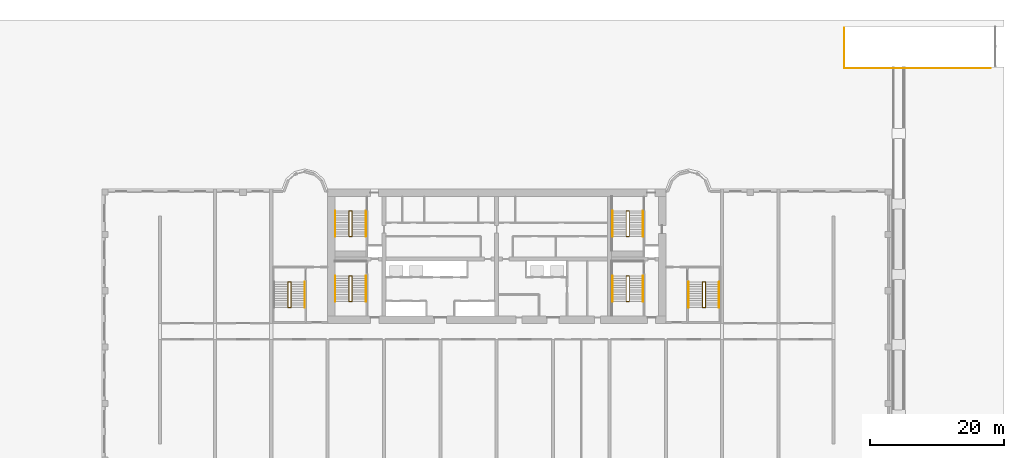
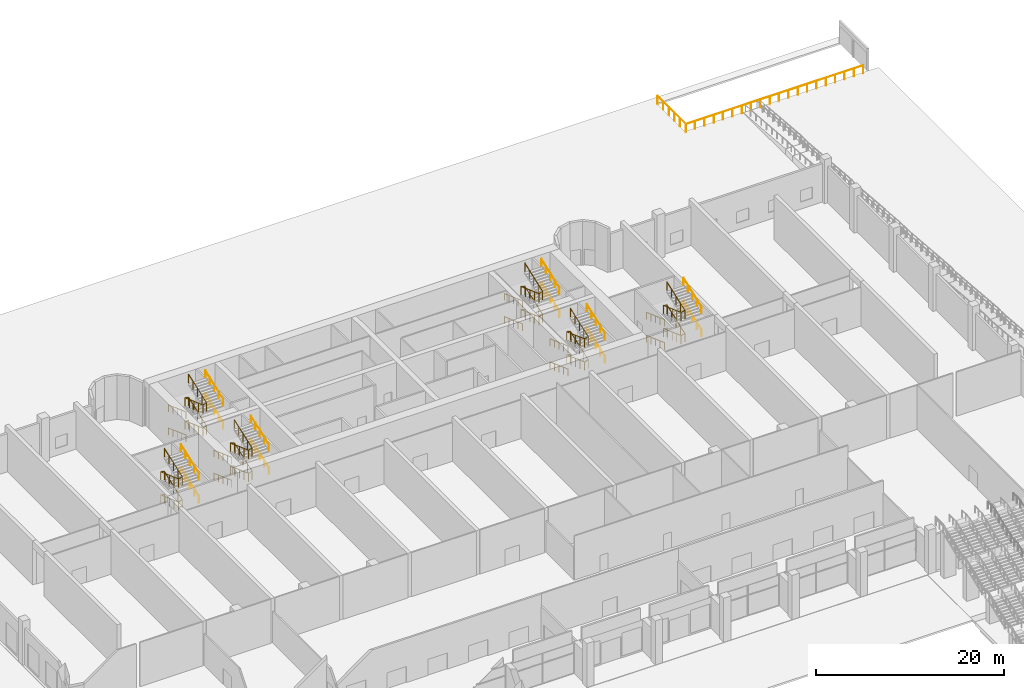
# One storey, part 19 of 20: 29 railings.
"""IFC4 building model written with IfcOpenShell, lengths in metres."""

from ifc_helpers import new_model, si_unit, direction, frame, origin, origin_2d, place, context, subcontext, project, spatial, circle, extrude, source, transform, mapped, material, type_object, element, save


model = new_model("IFC4")

# Units and contexts
model_context = context("Model", 3, precision=1e-05, world=origin(), true_north=direction((0.0, 1.0)))
body_context = subcontext(model_context, "Body", "Model", "MODEL_VIEW")
ifc_project = project(units=[si_unit("LENGTHUNIT", "METRE"), si_unit("AREAUNIT", "SQUARE_METRE"), si_unit("VOLUMEUNIT", "CUBIC_METRE"), si_unit("PLANEANGLEUNIT", "RADIAN"), si_unit("MASSUNIT", "GRAM", prefix="KILO")], contexts=[model_context])

# Site, building, storey
site_placement = place(None, origin())
site = spatial("IfcSite", under=ifc_project, at=site_placement, CompositionType="ELEMENT")
building_placement = place(site_placement, origin())
building = spatial("IfcBuilding", under=site, at=building_placement, Name="Vanashikhar Sky Hotel", CompositionType="ELEMENT")
storey_placement = place(building_placement, origin())
storey = spatial("IfcBuildingStorey", under=building, at=storey_placement, Name="L00", CompositionType="ELEMENT", Elevation=0.0)

# Railings
ifc_material = material(Name="Steel S355", Category="steel")
railing_type_1 = type_object("IfcRailingType", Name="Stair handrail 900", PredefinedType="HANDRAIL", material=ifc_material)
shared_shape_1 = source(origin(), body_context, "Body", "SweptSolid", [
    extrude(circle(Radius=0.02392578125, at=origin_2d()), frame((0.0, 0.0, 0.8759765625), z_axis=(0.0, 0.940335516113, 0.340248610777), x_axis=(-1.0, 0.0, 0.0)), (0.0, 0.0, 1.0), 4.041259765625),
    extrude(circle(Radius=0.02099609375, at=origin_2d()), origin(), (0.0, 0.0, 1.0), 0.851806640625),
    extrude(circle(Radius=0.02099609375, at=origin_2d()), frame((0.0, 0.949951171875, 0.34375)), (0.0, 0.0, 1.0), 0.851806640625),
    extrude(circle(Radius=0.02099609375, at=origin_2d()), frame((0.0, 1.89990234375, 0.6875)), (0.0, 0.0, 1.0), 0.851806640625),
    extrude(circle(Radius=0.02099609375, at=origin_2d()), frame((0.0, 2.85009765625, 1.03125)), (0.0, 0.0, 1.0), 0.851806640625),
    extrude(circle(Radius=0.02099609375, at=origin_2d()), frame((0.0, 3.800048828125, 1.375)), (0.0, 0.0, 1.0), 0.851806640625),
])
for number, where, name in (
    (1, (30.89990234375, 25.25, 1.625), "Exit stair 1 handrail"),
    (2, (30.89990234375, 25.25, 4.625), "Exit stair 1 handrail"),
    (3, (72.199951171875, 25.25, 1.625), "Exit stair 2 handrail"),
    (4, (72.199951171875, 25.25, 4.625), "Exit stair 2 handrail"),
    (5, (30.89990234375, 34.949951171875, 1.625), "Exit stair 5 handrail"),
    (6, (30.89990234375, 34.949951171875, 4.625), "Exit stair 5 handrail"),
    (7, (72.199951171875, 34.949951171875, 1.625), "Exit stair 6 handrail"),
    (8, (72.199951171875, 34.949951171875, 4.625), "Exit stair 6 handrail"),
):
    element("IfcRailing", number, at=place(storey_placement, frame(where)), inside=storey, type_object=railing_type_1, Name=name, PredefinedType="HANDRAIL", context=body_context, shape_type="MappedRepresentation", body=[
        mapped(shared_shape_1, transform((0.0, 0.0, 0.0), scale=1.0)),
    ])
shared_shape_2 = source(origin(), body_context, "Body", "SweptSolid", [
    extrude(circle(Radius=0.02392578125, at=origin_2d()), frame((0.0, 0.0, 0.8759765625), z_axis=(0.0, -0.940335516113, 0.340248610777), x_axis=(1.0, 0.0, 0.0)), (0.0, 0.0, 1.0), 4.041259765625),
    extrude(circle(Radius=0.02099609375, at=origin_2d()), origin(), (0.0, 0.0, 1.0), 0.851806640625),
    extrude(circle(Radius=0.02099609375, at=origin_2d()), frame((0.0, -0.949951171875, 0.34375)), (0.0, 0.0, 1.0), 0.851806640625),
    extrude(circle(Radius=0.02099609375, at=origin_2d()), frame((0.0, -1.89990234375, 0.6875)), (0.0, 0.0, 1.0), 0.851806640625),
    extrude(circle(Radius=0.02099609375, at=origin_2d()), frame((0.0, -2.85009765625, 1.03125)), (0.0, 0.0, 1.0), 0.851806640625),
    extrude(circle(Radius=0.02099609375, at=origin_2d()), frame((0.0, -3.800048828125, 1.375)), (0.0, 0.0, 1.0), 0.851806640625),
])
for number, where, name in (
    (9, (26.35009765625, 29.050048828125, 0.125), "Exit stair 1 handrail"),
    (10, (26.35009765625, 29.050048828125, 3.125), "Exit stair 1 handrail"),
    (11, (67.64990234375, 29.050048828125, 0.125), "Exit stair 2 handrail"),
    (12, (67.64990234375, 29.050048828125, 3.125), "Exit stair 2 handrail"),
    (13, (26.35009765625, 38.75, 0.125), "Exit stair 5 handrail"),
    (14, (26.35009765625, 38.75, 3.125), "Exit stair 5 handrail"),
    (15, (67.64990234375, 38.75, 0.125), "Exit stair 6 handrail"),
    (16, (67.64990234375, 38.75, 3.125), "Exit stair 6 handrail"),
):
    element("IfcRailing", number, at=place(storey_placement, frame(where)), inside=storey, type_object=railing_type_1, Name=name, PredefinedType="HANDRAIL", context=body_context, shape_type="MappedRepresentation", body=[
        mapped(shared_shape_2, transform((0.0, 0.0, 0.0), scale=1.0)),
    ])
railing_type_2 = type_object("IfcRailingType", Name="Stair guard 1100", PredefinedType="GUARDRAIL", material=ifc_material)
shared_shape_3 = source(origin(), body_context, "Body", "SweptSolid", [
    extrude(circle(Radius=0.02392578125, at=origin_2d()), frame((0.0, 0.0, 1.076171875), z_axis=(-0.963547848091, 0.0, 0.267536061943), x_axis=(0.0, -1.0, 0.0)), (0.0, 0.0, 1.0), 0.46728515625),
    extrude(circle(Radius=0.02392578125, at=origin_2d()), frame((-0.4501953125, 0.0, 1.201171875), z_axis=(0.0, -0.940335516113, 0.340248610777), x_axis=(1.0, 0.0, 0.0)), (0.0, 0.0, 1.0), 4.041259765625),
    extrude(circle(Radius=0.02392578125, at=origin_2d()), frame((-0.4501953125, -3.800048828125, 2.576171875), z_axis=(0.963547848091, 0.0, 0.267536061943), x_axis=(0.0, 1.0, 0.0)), (0.0, 0.0, 1.0), 0.46728515625),
    extrude(circle(Radius=0.02392578125, at=origin_2d()), frame((0.0, -3.800048828125, 2.701171875), z_axis=(0.0, 0.940335516113, 0.340248610777), x_axis=(-1.0, 0.0, 0.0)), (0.0, 0.0, 1.0), 4.041259765625),
    extrude(circle(Radius=0.02392578125, at=origin_2d()), frame((0.0, 0.0, 4.076171875), z_axis=(-0.963547848091, 0.0, 0.267536061943), x_axis=(0.0, -1.0, 0.0)), (0.0, 0.0, 1.0), 0.46728515625),
    extrude(circle(Radius=0.02392578125, at=origin_2d()), frame((-0.4501953125, 0.0, 4.201171875), z_axis=(0.0, -0.940335516113, 0.340248610777), x_axis=(1.0, 0.0, 0.0)), (0.0, 0.0, 1.0), 4.041259765625),
    extrude(circle(Radius=0.02392578125, at=origin_2d()), frame((-0.4501953125, -3.800048828125, 5.576171875), z_axis=(0.963547848091, 0.0, 0.267536061943), x_axis=(0.0, 1.0, 0.0)), (0.0, 0.0, 1.0), 0.46728515625),
    extrude(circle(Radius=0.02392578125, at=origin_2d()), frame((0.0, -3.800048828125, 5.701171875), z_axis=(0.0, 0.940335516113, 0.340248610777), x_axis=(-1.0, 0.0, 0.0)), (0.0, 0.0, 1.0), 4.041259765625),
    extrude(circle(Radius=0.02099609375, at=origin_2d()), origin(), (0.0, 0.0, 1.0), 1.052001953125),
    extrude(circle(Radius=0.02099609375, at=origin_2d()), frame((-0.4501953125, 0.0, 0.125)), (0.0, 0.0, 1.0), 1.052001953125),
    extrude(circle(Radius=0.02099609375, at=origin_2d()), frame((-0.4501953125, -0.949951171875, 0.46875)), (0.0, 0.0, 1.0), 1.052001953125),
    extrude(circle(Radius=0.02099609375, at=origin_2d()), frame((-0.4501953125, -1.89990234375, 0.8125)), (0.0, 0.0, 1.0), 1.052001953125),
    extrude(circle(Radius=0.02099609375, at=origin_2d()), frame((-0.4501953125, -2.85009765625, 1.15625)), (0.0, 0.0, 1.0), 1.052001953125),
    extrude(circle(Radius=0.02099609375, at=origin_2d()), frame((-0.4501953125, -3.800048828125, 1.5)), (0.0, 0.0, 1.0), 1.052001953125),
    extrude(circle(Radius=0.02099609375, at=origin_2d()), frame((0.0, -3.800048828125, 1.625)), (0.0, 0.0, 1.0), 1.052001953125),
    extrude(circle(Radius=0.02099609375, at=origin_2d()), frame((0.0, -2.85009765625, 1.96875)), (0.0, 0.0, 1.0), 1.052001953125),
    extrude(circle(Radius=0.02099609375, at=origin_2d()), frame((0.0, -1.89990234375, 2.3125)), (0.0, 0.0, 1.0), 1.052001953125),
    extrude(circle(Radius=0.02099609375, at=origin_2d()), frame((0.0, -0.949951171875, 2.65625)), (0.0, 0.0, 1.0), 1.052001953125),
    extrude(circle(Radius=0.02099609375, at=origin_2d()), frame((0.0, 0.0, 3.0)), (0.0, 0.0, 1.0), 1.052001953125),
    extrude(circle(Radius=0.02099609375, at=origin_2d()), frame((-0.4501953125, 0.0, 3.125)), (0.0, 0.0, 1.0), 1.052001953125),
    extrude(circle(Radius=0.02099609375, at=origin_2d()), frame((-0.4501953125, -0.949951171875, 3.46875)), (0.0, 0.0, 1.0), 1.052001953125),
    extrude(circle(Radius=0.02099609375, at=origin_2d()), frame((-0.4501953125, -1.89990234375, 3.8125)), (0.0, 0.0, 1.0), 1.052001953125),
    extrude(circle(Radius=0.02099609375, at=origin_2d()), frame((-0.4501953125, -2.85009765625, 4.15625)), (0.0, 0.0, 1.0), 1.052001953125),
    extrude(circle(Radius=0.02099609375, at=origin_2d()), frame((-0.4501953125, -3.800048828125, 4.5)), (0.0, 0.0, 1.0), 1.052001953125),
    extrude(circle(Radius=0.02099609375, at=origin_2d()), frame((0.0, -3.800048828125, 4.625)), (0.0, 0.0, 1.0), 1.052001953125),
    extrude(circle(Radius=0.02099609375, at=origin_2d()), frame((0.0, -2.85009765625, 4.96875)), (0.0, 0.0, 1.0), 1.052001953125),
    extrude(circle(Radius=0.02099609375, at=origin_2d()), frame((0.0, -1.89990234375, 5.3125)), (0.0, 0.0, 1.0), 1.052001953125),
    extrude(circle(Radius=0.02099609375, at=origin_2d()), frame((0.0, -0.949951171875, 5.65625)), (0.0, 0.0, 1.0), 1.052001953125),
    extrude(circle(Radius=0.02099609375, at=origin_2d()), frame((0.0, 0.0, 6.0)), (0.0, 0.0, 1.0), 1.052001953125),
])
for number, where, name in (
    (17, (28.85009765625, 29.050048828125, 0.0), "Exit stair 1 guard"),
    (18, (28.85009765625, 38.75, 0.0), "Exit stair 5 guard"),
):
    element("IfcRailing", number, at=place(storey_placement, frame(where)), inside=storey, type_object=railing_type_2, Name=name, PredefinedType="GUARDRAIL", context=body_context, shape_type="MappedRepresentation", body=[
        mapped(shared_shape_3, transform((0.0, 0.0, 0.0), scale=1.0)),
    ])
shared_shape_4 = source(origin(), body_context, "Body", "SweptSolid", [
    extrude(circle(Radius=0.02392578125, at=origin_2d()), frame((0.0, 0.0, 1.076171875), z_axis=(-0.963510419359, 0.0, 0.267670827299), x_axis=(0.0, -1.0, 0.0)), (0.0, 0.0, 1.0), 0.467041015625),
    extrude(circle(Radius=0.02392578125, at=origin_2d()), frame((-0.449951171875, 0.0, 1.201171875), z_axis=(0.0, -0.940335516113, 0.340248610777), x_axis=(1.0, 0.0, 0.0)), (0.0, 0.0, 1.0), 4.041259765625),
    extrude(circle(Radius=0.02392578125, at=origin_2d()), frame((-0.449951171875, -3.800048828125, 2.576171875), z_axis=(0.963510419359, 0.0, 0.267670827299), x_axis=(0.0, 1.0, 0.0)), (0.0, 0.0, 1.0), 0.467041015625),
    extrude(circle(Radius=0.02392578125, at=origin_2d()), frame((0.0, -3.800048828125, 2.701171875), z_axis=(0.0, 0.940335516113, 0.340248610777), x_axis=(-1.0, 0.0, 0.0)), (0.0, 0.0, 1.0), 4.041259765625),
    extrude(circle(Radius=0.02392578125, at=origin_2d()), frame((0.0, 0.0, 4.076171875), z_axis=(-0.963510419359, 0.0, 0.267670827299), x_axis=(0.0, -1.0, 0.0)), (0.0, 0.0, 1.0), 0.467041015625),
    extrude(circle(Radius=0.02392578125, at=origin_2d()), frame((-0.449951171875, 0.0, 4.201171875), z_axis=(0.0, -0.940335516113, 0.340248610777), x_axis=(1.0, 0.0, 0.0)), (0.0, 0.0, 1.0), 4.041259765625),
    extrude(circle(Radius=0.02392578125, at=origin_2d()), frame((-0.449951171875, -3.800048828125, 5.576171875), z_axis=(0.963510419359, 0.0, 0.267670827299), x_axis=(0.0, 1.0, 0.0)), (0.0, 0.0, 1.0), 0.467041015625),
    extrude(circle(Radius=0.02392578125, at=origin_2d()), frame((0.0, -3.800048828125, 5.701171875), z_axis=(0.0, 0.940335516113, 0.340248610777), x_axis=(-1.0, 0.0, 0.0)), (0.0, 0.0, 1.0), 4.041259765625),
    extrude(circle(Radius=0.02099609375, at=origin_2d()), origin(), (0.0, 0.0, 1.0), 1.052001953125),
    extrude(circle(Radius=0.02099609375, at=origin_2d()), frame((-0.449951171875, 0.0, 0.125)), (0.0, 0.0, 1.0), 1.052001953125),
    extrude(circle(Radius=0.02099609375, at=origin_2d()), frame((-0.449951171875, -0.949951171875, 0.46875)), (0.0, 0.0, 1.0), 1.052001953125),
    extrude(circle(Radius=0.02099609375, at=origin_2d()), frame((-0.449951171875, -1.89990234375, 0.8125)), (0.0, 0.0, 1.0), 1.052001953125),
    extrude(circle(Radius=0.02099609375, at=origin_2d()), frame((-0.449951171875, -2.85009765625, 1.15625)), (0.0, 0.0, 1.0), 1.052001953125),
    extrude(circle(Radius=0.02099609375, at=origin_2d()), frame((-0.449951171875, -3.800048828125, 1.5)), (0.0, 0.0, 1.0), 1.052001953125),
    extrude(circle(Radius=0.02099609375, at=origin_2d()), frame((0.0, -3.800048828125, 1.625)), (0.0, 0.0, 1.0), 1.052001953125),
    extrude(circle(Radius=0.02099609375, at=origin_2d()), frame((0.0, -2.85009765625, 1.96875)), (0.0, 0.0, 1.0), 1.052001953125),
    extrude(circle(Radius=0.02099609375, at=origin_2d()), frame((0.0, -1.89990234375, 2.3125)), (0.0, 0.0, 1.0), 1.052001953125),
    extrude(circle(Radius=0.02099609375, at=origin_2d()), frame((0.0, -0.949951171875, 2.65625)), (0.0, 0.0, 1.0), 1.052001953125),
    extrude(circle(Radius=0.02099609375, at=origin_2d()), frame((0.0, 0.0, 3.0)), (0.0, 0.0, 1.0), 1.052001953125),
    extrude(circle(Radius=0.02099609375, at=origin_2d()), frame((-0.449951171875, 0.0, 3.125)), (0.0, 0.0, 1.0), 1.052001953125),
    extrude(circle(Radius=0.02099609375, at=origin_2d()), frame((-0.449951171875, -0.949951171875, 3.46875)), (0.0, 0.0, 1.0), 1.052001953125),
    extrude(circle(Radius=0.02099609375, at=origin_2d()), frame((-0.449951171875, -1.89990234375, 3.8125)), (0.0, 0.0, 1.0), 1.052001953125),
    extrude(circle(Radius=0.02099609375, at=origin_2d()), frame((-0.449951171875, -2.85009765625, 4.15625)), (0.0, 0.0, 1.0), 1.052001953125),
    extrude(circle(Radius=0.02099609375, at=origin_2d()), frame((-0.449951171875, -3.800048828125, 4.5)), (0.0, 0.0, 1.0), 1.052001953125),
    extrude(circle(Radius=0.02099609375, at=origin_2d()), frame((0.0, -3.800048828125, 4.625)), (0.0, 0.0, 1.0), 1.052001953125),
    extrude(circle(Radius=0.02099609375, at=origin_2d()), frame((0.0, -2.85009765625, 4.96875)), (0.0, 0.0, 1.0), 1.052001953125),
    extrude(circle(Radius=0.02099609375, at=origin_2d()), frame((0.0, -1.89990234375, 5.3125)), (0.0, 0.0, 1.0), 1.052001953125),
    extrude(circle(Radius=0.02099609375, at=origin_2d()), frame((0.0, -0.949951171875, 5.65625)), (0.0, 0.0, 1.0), 1.052001953125),
    extrude(circle(Radius=0.02099609375, at=origin_2d()), frame((0.0, 0.0, 6.0)), (0.0, 0.0, 1.0), 1.052001953125),
])
for number, where, name in (
    (19, (70.14990234375, 29.050048828125, 0.0), "Exit stair 2 guard"),
    (20, (70.14990234375, 38.75, 0.0), "Exit stair 6 guard"),
):
    element("IfcRailing", number, at=place(storey_placement, frame(where)), inside=storey, type_object=railing_type_2, Name=name, PredefinedType="GUARDRAIL", context=body_context, shape_type="MappedRepresentation", body=[
        mapped(shared_shape_4, transform((0.0, 0.0, 0.0), scale=1.0)),
    ])
shared_shape_5 = source(origin(), body_context, "Body", "SweptSolid", [
    extrude(circle(Radius=0.02392578125, at=origin_2d()), frame((0.0, 0.0, 0.8759765625), z_axis=(0.0, 0.940328521504, 0.340267940961), x_axis=(-1.0, 0.0, 0.0)), (0.0, 0.0, 1.0), 4.041015625),
    extrude(circle(Radius=0.02099609375, at=origin_2d()), origin(), (0.0, 0.0, 1.0), 0.851806640625),
    extrude(circle(Radius=0.02099609375, at=origin_2d()), frame((0.0, 0.949951171875, 0.34375)), (0.0, 0.0, 1.0), 0.851806640625),
    extrude(circle(Radius=0.02099609375, at=origin_2d()), frame((0.0, 1.89990234375, 0.6875)), (0.0, 0.0, 1.0), 0.851806640625),
    extrude(circle(Radius=0.02099609375, at=origin_2d()), frame((0.0, 2.849853515625, 1.03125)), (0.0, 0.0, 1.0), 0.851806640625),
    extrude(circle(Radius=0.02099609375, at=origin_2d()), frame((0.0, 3.7998046875, 1.375)), (0.0, 0.0, 1.0), 0.851806640625),
])
for number, where, name in (
    (21, (21.800048828125, 24.35009765625, 1.625), "Exit stair 3 handrail"),
    (22, (21.800048828125, 24.35009765625, 4.625), "Exit stair 3 handrail"),
    (23, (83.550048828125, 24.35009765625, 1.625), "Exit stair 4 handrail"),
    (24, (83.550048828125, 24.35009765625, 4.625), "Exit stair 4 handrail"),
):
    element("IfcRailing", number, at=place(storey_placement, frame(where)), inside=storey, type_object=railing_type_1, Name=name, PredefinedType="HANDRAIL", context=body_context, shape_type="MappedRepresentation", body=[
        mapped(shared_shape_5, transform((0.0, 0.0, 0.0), scale=1.0)),
    ])
shared_shape_6 = source(origin(), body_context, "Body", "SweptSolid", [
    extrude(circle(Radius=0.02392578125, at=origin_2d()), frame((0.0, 0.0, 0.8759765625), z_axis=(0.0, -0.940328521504, 0.340267940961), x_axis=(1.0, 0.0, 0.0)), (0.0, 0.0, 1.0), 4.041015625),
    extrude(circle(Radius=0.02099609375, at=origin_2d()), origin(), (0.0, 0.0, 1.0), 0.851806640625),
    extrude(circle(Radius=0.02099609375, at=origin_2d()), frame((0.0, -0.949951171875, 0.34375)), (0.0, 0.0, 1.0), 0.851806640625),
    extrude(circle(Radius=0.02099609375, at=origin_2d()), frame((0.0, -1.89990234375, 0.6875)), (0.0, 0.0, 1.0), 0.851806640625),
    extrude(circle(Radius=0.02099609375, at=origin_2d()), frame((0.0, -2.849853515625, 1.03125)), (0.0, 0.0, 1.0), 0.851806640625),
    extrude(circle(Radius=0.02099609375, at=origin_2d()), frame((0.0, -3.7998046875, 1.375)), (0.0, 0.0, 1.0), 0.851806640625),
])
for number, where, name in (
    (25, (79.0, 28.14990234375, 0.125), "Exit stair 4 handrail"),
    (26, (79.0, 28.14990234375, 3.125), "Exit stair 4 handrail"),
):
    element("IfcRailing", number, at=place(storey_placement, frame(where)), inside=storey, type_object=railing_type_1, Name=name, PredefinedType="HANDRAIL", context=body_context, shape_type="MappedRepresentation", body=[
        mapped(shared_shape_6, transform((0.0, 0.0, 0.0), scale=1.0)),
    ])
shared_shape_7 = source(origin(), body_context, "Body", "SweptSolid", [
    extrude(circle(Radius=0.02392578125, at=origin_2d()), frame((0.0, 0.0, 1.076171875), z_axis=(-0.963510419359, 0.0, 0.267670827299), x_axis=(0.0, -1.0, 0.0)), (0.0, 0.0, 1.0), 0.467041015625),
    extrude(circle(Radius=0.02392578125, at=origin_2d()), frame((-0.449951171875, 0.0, 1.201171875), z_axis=(0.0, -0.940328521504, 0.340267940961), x_axis=(1.0, 0.0, 0.0)), (0.0, 0.0, 1.0), 4.041015625),
    extrude(circle(Radius=0.02392578125, at=origin_2d()), frame((-0.449951171875, -3.7998046875, 2.576171875), z_axis=(0.963510419359, 0.0, 0.267670827299), x_axis=(0.0, 1.0, 0.0)), (0.0, 0.0, 1.0), 0.467041015625),
    extrude(circle(Radius=0.02392578125, at=origin_2d()), frame((0.0, -3.7998046875, 2.701171875), z_axis=(0.0, 0.940328521504, 0.340267940961), x_axis=(-1.0, 0.0, 0.0)), (0.0, 0.0, 1.0), 4.041015625),
    extrude(circle(Radius=0.02392578125, at=origin_2d()), frame((0.0, 0.0, 4.076171875), z_axis=(-0.963510419359, 0.0, 0.267670827299), x_axis=(0.0, -1.0, 0.0)), (0.0, 0.0, 1.0), 0.467041015625),
    extrude(circle(Radius=0.02392578125, at=origin_2d()), frame((-0.449951171875, 0.0, 4.201171875), z_axis=(0.0, -0.940328521504, 0.340267940961), x_axis=(1.0, 0.0, 0.0)), (0.0, 0.0, 1.0), 4.041015625),
    extrude(circle(Radius=0.02392578125, at=origin_2d()), frame((-0.449951171875, -3.7998046875, 5.576171875), z_axis=(0.963510419359, 0.0, 0.267670827299), x_axis=(0.0, 1.0, 0.0)), (0.0, 0.0, 1.0), 0.467041015625),
    extrude(circle(Radius=0.02392578125, at=origin_2d()), frame((0.0, -3.7998046875, 5.701171875), z_axis=(0.0, 0.940328521504, 0.340267940961), x_axis=(-1.0, 0.0, 0.0)), (0.0, 0.0, 1.0), 4.041015625),
    extrude(circle(Radius=0.02099609375, at=origin_2d()), origin(), (0.0, 0.0, 1.0), 1.052001953125),
    extrude(circle(Radius=0.02099609375, at=origin_2d()), frame((-0.449951171875, 0.0, 0.125)), (0.0, 0.0, 1.0), 1.052001953125),
    extrude(circle(Radius=0.02099609375, at=origin_2d()), frame((-0.449951171875, -0.949951171875, 0.46875)), (0.0, 0.0, 1.0), 1.052001953125),
    extrude(circle(Radius=0.02099609375, at=origin_2d()), frame((-0.449951171875, -1.89990234375, 0.8125)), (0.0, 0.0, 1.0), 1.052001953125),
    extrude(circle(Radius=0.02099609375, at=origin_2d()), frame((-0.449951171875, -2.849853515625, 1.15625)), (0.0, 0.0, 1.0), 1.052001953125),
    extrude(circle(Radius=0.02099609375, at=origin_2d()), frame((-0.449951171875, -3.7998046875, 1.5)), (0.0, 0.0, 1.0), 1.052001953125),
    extrude(circle(Radius=0.02099609375, at=origin_2d()), frame((0.0, -3.7998046875, 1.625)), (0.0, 0.0, 1.0), 1.052001953125),
    extrude(circle(Radius=0.02099609375, at=origin_2d()), frame((0.0, -2.849853515625, 1.96875)), (0.0, 0.0, 1.0), 1.052001953125),
    extrude(circle(Radius=0.02099609375, at=origin_2d()), frame((0.0, -1.89990234375, 2.3125)), (0.0, 0.0, 1.0), 1.052001953125),
    extrude(circle(Radius=0.02099609375, at=origin_2d()), frame((0.0, -0.949951171875, 2.65625)), (0.0, 0.0, 1.0), 1.052001953125),
    extrude(circle(Radius=0.02099609375, at=origin_2d()), frame((0.0, 0.0, 3.0)), (0.0, 0.0, 1.0), 1.052001953125),
    extrude(circle(Radius=0.02099609375, at=origin_2d()), frame((-0.449951171875, 0.0, 3.125)), (0.0, 0.0, 1.0), 1.052001953125),
    extrude(circle(Radius=0.02099609375, at=origin_2d()), frame((-0.449951171875, -0.949951171875, 3.46875)), (0.0, 0.0, 1.0), 1.052001953125),
    extrude(circle(Radius=0.02099609375, at=origin_2d()), frame((-0.449951171875, -1.89990234375, 3.8125)), (0.0, 0.0, 1.0), 1.052001953125),
    extrude(circle(Radius=0.02099609375, at=origin_2d()), frame((-0.449951171875, -2.849853515625, 4.15625)), (0.0, 0.0, 1.0), 1.052001953125),
    extrude(circle(Radius=0.02099609375, at=origin_2d()), frame((-0.449951171875, -3.7998046875, 4.5)), (0.0, 0.0, 1.0), 1.052001953125),
    extrude(circle(Radius=0.02099609375, at=origin_2d()), frame((0.0, -3.7998046875, 4.625)), (0.0, 0.0, 1.0), 1.052001953125),
    extrude(circle(Radius=0.02099609375, at=origin_2d()), frame((0.0, -2.849853515625, 4.96875)), (0.0, 0.0, 1.0), 1.052001953125),
    extrude(circle(Radius=0.02099609375, at=origin_2d()), frame((0.0, -1.89990234375, 5.3125)), (0.0, 0.0, 1.0), 1.052001953125),
    extrude(circle(Radius=0.02099609375, at=origin_2d()), frame((0.0, -0.949951171875, 5.65625)), (0.0, 0.0, 1.0), 1.052001953125),
    extrude(circle(Radius=0.02099609375, at=origin_2d()), frame((0.0, 0.0, 6.0)), (0.0, 0.0, 1.0), 1.052001953125),
])
for number, where, name in (
    (27, (19.75, 28.14990234375, 0.0), "Exit stair 3 guard"),
    (28, (81.5, 28.14990234375, 0.0), "Exit stair 4 guard"),
):
    element("IfcRailing", number, at=place(storey_placement, frame(where)), inside=storey, type_object=railing_type_2, Name=name, PredefinedType="GUARDRAIL", context=body_context, shape_type="MappedRepresentation", body=[
        mapped(shared_shape_7, transform((0.0, 0.0, 0.0), scale=1.0)),
    ])
railing_type_3 = type_object("IfcRailingType", Name="Ramp trench guard 1100 mm", PredefinedType="GUARDRAIL", material=ifc_material)
shared_shape_8 = source(origin(), body_context, "Body", "SweptSolid", [
    extrude(circle(Radius=0.02392578125, at=origin_2d()), frame((0.0, 0.0, 1.076171875), z_axis=(0.0, -1.0, 0.0), x_axis=(1.0, 0.0, 0.0)), (0.0, 0.0, 1.0), 6.0),
    extrude(circle(Radius=0.02392578125, at=origin_2d()), frame((0.0, -6.0, 1.076171875), z_axis=(1.0, 0.0, 0.0), x_axis=(0.0, 1.0, 0.0)), (0.0, 0.0, 1.0), 21.800048828125),
    extrude(circle(Radius=0.02099609375, at=origin_2d()), origin(), (0.0, 0.0, 1.0), 1.052001953125),
    extrude(circle(Radius=0.02099609375, at=origin_2d()), frame((0.0, -1.199951171875, 0.0)), (0.0, 0.0, 1.0), 1.052001953125),
    extrude(circle(Radius=0.02099609375, at=origin_2d()), frame((0.0, -2.39990234375, 0.0)), (0.0, 0.0, 1.0), 1.052001953125),
    extrude(circle(Radius=0.02099609375, at=origin_2d()), frame((0.0, -3.60009765625, 0.0)), (0.0, 0.0, 1.0), 1.052001953125),
    extrude(circle(Radius=0.02099609375, at=origin_2d()), frame((0.0, -4.800048828125, 0.0)), (0.0, 0.0, 1.0), 1.052001953125),
    extrude(circle(Radius=0.02099609375, at=origin_2d()), frame((0.0, -6.0, 0.0)), (0.0, 0.0, 1.0), 1.052001953125),
    extrude(circle(Radius=0.02099609375, at=origin_2d()), frame((1.1474609375, -6.0, 0.0)), (0.0, 0.0, 1.0), 1.052001953125),
    extrude(circle(Radius=0.02099609375, at=origin_2d()), frame((2.294677734375, -6.0, 0.0)), (0.0, 0.0, 1.0), 1.052001953125),
    extrude(circle(Radius=0.02099609375, at=origin_2d()), frame((3.442138671875, -6.0, 0.0)), (0.0, 0.0, 1.0), 1.052001953125),
    extrude(circle(Radius=0.02099609375, at=origin_2d()), frame((4.589599609375, -6.0, 0.0)), (0.0, 0.0, 1.0), 1.052001953125),
    extrude(circle(Radius=0.02099609375, at=origin_2d()), frame((5.73681640625, -6.0, 0.0)), (0.0, 0.0, 1.0), 1.052001953125),
    extrude(circle(Radius=0.02099609375, at=origin_2d()), frame((6.88427734375, -6.0, 0.0)), (0.0, 0.0, 1.0), 1.052001953125),
    extrude(circle(Radius=0.02099609375, at=origin_2d()), frame((8.031494140625, -6.0, 0.0)), (0.0, 0.0, 1.0), 1.052001953125),
    extrude(circle(Radius=0.02099609375, at=origin_2d()), frame((9.178955078125, -6.0, 0.0)), (0.0, 0.0, 1.0), 1.052001953125),
    extrude(circle(Radius=0.02099609375, at=origin_2d()), frame((10.326416015625, -6.0, 0.0)), (0.0, 0.0, 1.0), 1.052001953125),
    extrude(circle(Radius=0.02099609375, at=origin_2d()), frame((11.4736328125, -6.0, 0.0)), (0.0, 0.0, 1.0), 1.052001953125),
    extrude(circle(Radius=0.02099609375, at=origin_2d()), frame((12.62109375, -6.0, 0.0)), (0.0, 0.0, 1.0), 1.052001953125),
    extrude(circle(Radius=0.02099609375, at=origin_2d()), frame((13.7685546875, -6.0, 0.0)), (0.0, 0.0, 1.0), 1.052001953125),
    extrude(circle(Radius=0.02099609375, at=origin_2d()), frame((14.915771484375, -6.0, 0.0)), (0.0, 0.0, 1.0), 1.052001953125),
    extrude(circle(Radius=0.02099609375, at=origin_2d()), frame((16.063232421875, -6.0, 0.0)), (0.0, 0.0, 1.0), 1.052001953125),
    extrude(circle(Radius=0.02099609375, at=origin_2d()), frame((17.21044921875, -6.0, 0.0)), (0.0, 0.0, 1.0), 1.052001953125),
    extrude(circle(Radius=0.02099609375, at=origin_2d()), frame((18.35791015625, -6.0, 0.0)), (0.0, 0.0, 1.0), 1.052001953125),
    extrude(circle(Radius=0.02099609375, at=origin_2d()), frame((19.50537109375, -6.0, 0.0)), (0.0, 0.0, 1.0), 1.052001953125),
    extrude(circle(Radius=0.02099609375, at=origin_2d()), frame((20.652587890625, -6.0, 0.0)), (0.0, 0.0, 1.0), 1.052001953125),
    extrude(circle(Radius=0.02099609375, at=origin_2d()), frame((21.800048828125, -6.0, 0.0)), (0.0, 0.0, 1.0), 1.052001953125),
])
railing_placement = place(storey_placement, frame((102.199951171875, 66.0, -0.050048828125)))
element("IfcRailing", 29, at=railing_placement, inside=storey, type_object=railing_type_3, Name="Ramp trench guard", PredefinedType="GUARDRAIL", context=body_context, shape_type="MappedRepresentation", body=[
    mapped(shared_shape_8, transform((0.0, 0.0, 0.0), scale=1.0)),
])

save(model, "model.ifc")
